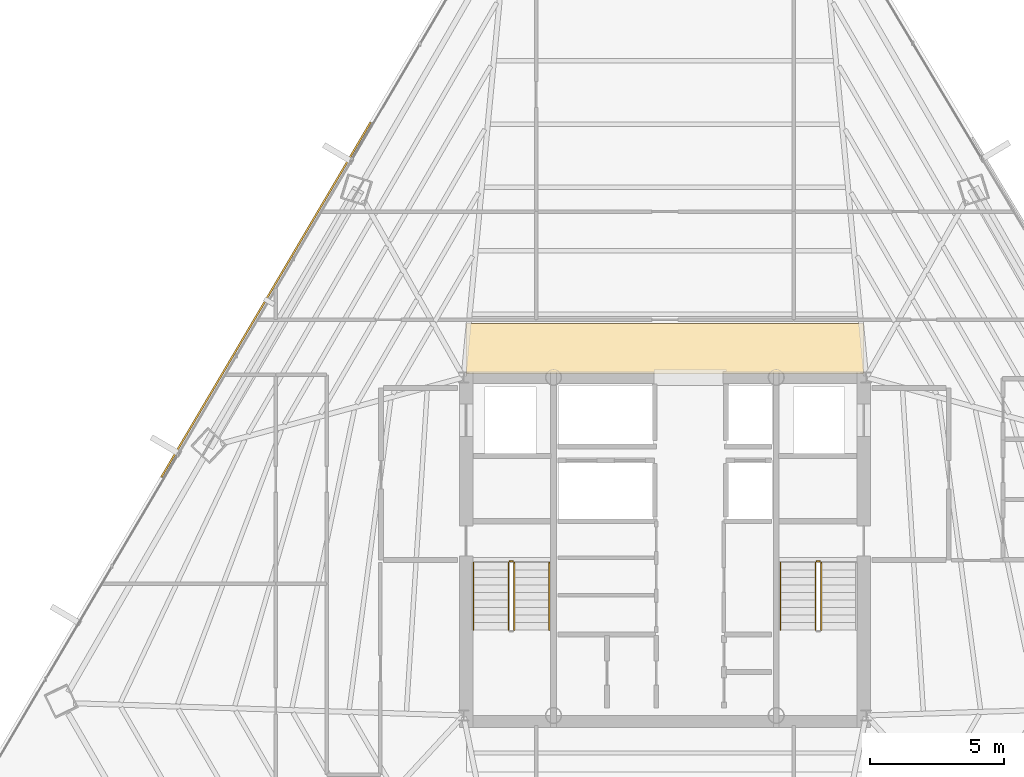
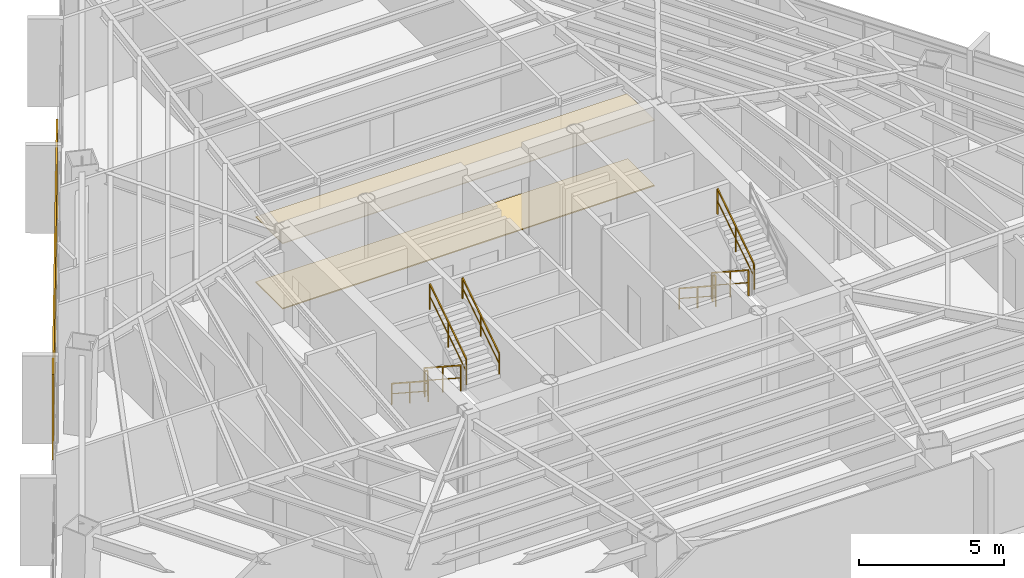
# One storey, part 40 of 41: 9 railings, 2 coverings, 1 shading device.
"""IFC4 building model written with IfcOpenShell, lengths in metres."""

import ifcopenshell
import ifcopenshell.guid

model = None  # the IFC model being written
_history = None  # IfcOwnerHistory: only IFC2X3 demands one
_inside = {}  # id of a spatial element -> (the spatial element, [elements in it])
_under = {}  # id of a project, library or spatial element -> (it, [spatial elements below it])
_declared = {}  # id of a project -> (the project, [libraries it declares])
_typed = {}  # id of a type object -> (the type object, [elements of that type])
_made_of = {}  # id of a material, layer set ... -> (it, [elements and type objects made of it])


def new_model(schema):
    """Start an empty IFC model of exactly this schema.

    Asked for "IFC4X3", IfcOpenShell would pick the latest addendum, in which some entities
    have other attributes; the version numbers below select the first issue.
    IFC2X3 requires an IfcOwnerHistory on every rooted entity: one is made here for all.
    """
    global model, _history
    if schema == "IFC4X3":
        model = ifcopenshell.file(schema_version=(4, 3, 0, 0))
    else:
        model = ifcopenshell.file(schema=schema)
    _inside.clear()
    _under.clear()
    _declared.clear()
    _typed.clear()
    _made_of.clear()
    _history = None
    if model.schema == "IFC2X3":
        org = make("IfcOrganization", Name="unknown")
        user = make(
            "IfcPersonAndOrganization",
            ThePerson=make("IfcPerson", FamilyName="unknown"),
            TheOrganization=org,
        )
        app = make(
            "IfcApplication",
            ApplicationDeveloper=org,
            Version="unknown",
            ApplicationFullName="unknown",
            ApplicationIdentifier="unknown",
        )
        _history = make(
            "IfcOwnerHistory",
            OwningUser=user,
            OwningApplication=app,
            ChangeAction="ADDED",
            CreationDate=0,
        )
    return model


def make(cls, **values):
    """One entity of the class cls with the attributes given. An attribute that is None is left unset."""
    return model.create_entity(
        cls, **{name: value for name, value in values.items() if value is not None}
    )


def rooted(cls, **values):
    """An entity with a GlobalId (a new one), such as an element, a storey or a relation."""
    return make(cls, GlobalId=ifcopenshell.guid.new(), OwnerHistory=_history, **values)


def si_unit(unit_type, name, prefix=None):
    """IfcSIUnit, for example si_unit("LENGTHUNIT", "METRE", prefix="MILLI")."""
    return make("IfcSIUnit", UnitType=unit_type, Prefix=prefix, Name=name)


def assignment(units):
    """IfcUnitAssignment: the units of a project."""
    return None if units is None else make("IfcUnitAssignment", Units=units)


def point(xyz):
    """IfcCartesianPoint."""
    return None if xyz is None else make("IfcCartesianPoint", Coordinates=xyz)


def direction(xyz):
    """IfcDirection."""
    return None if xyz is None else make("IfcDirection", DirectionRatios=xyz)


def frame(location, z_axis=None, x_axis=None):
    """IfcAxis2Placement3D, a coordinate frame: its origin and axes. An axis left out is left unset."""
    return make(
        "IfcAxis2Placement3D",
        Location=point(location),
        Axis=direction(z_axis),
        RefDirection=direction(x_axis),
    )


def frame_2d(location, x_axis=None):
    """IfcAxis2Placement2D, a coordinate frame in the plane: its origin and x axis."""
    return make(
        "IfcAxis2Placement2D", Location=point(location), RefDirection=direction(x_axis)
    )


def origin():
    """The frame at (0, 0, 0) with its axes left unset."""
    return frame((0.0, 0.0, 0.0))


def origin_2d():
    """The frame at (0, 0) in the plane with its x axis left unset."""
    return frame_2d((0.0, 0.0))


def place(relative_to, where):
    """IfcLocalPlacement: puts the frame where relative to a parent placement (None: the world)."""
    return make(
        "IfcLocalPlacement", PlacementRelTo=relative_to, RelativePlacement=where
    )


def context(
    kind, dimensions, precision=None, world=None, true_north=None, identifier=None
):
    """IfcGeometricRepresentationContext, for example the 3D "Model" context."""
    return make(
        "IfcGeometricRepresentationContext",
        ContextIdentifier=identifier,
        ContextType=kind,
        CoordinateSpaceDimension=dimensions,
        Precision=precision,
        WorldCoordinateSystem=world,
        TrueNorth=true_north,
    )


def subcontext(parent, identifier, kind, view, scale=None):
    """IfcGeometricRepresentationSubContext, for example "Body" below "Model"."""
    return make(
        "IfcGeometricRepresentationSubContext",
        ContextIdentifier=identifier,
        ContextType=kind,
        ParentContext=parent,
        TargetScale=scale,
        TargetView=view,
    )


def project(units=None, contexts=None):
    """IfcProject with its units and contexts."""
    return rooted(
        "IfcProject",
        Name="project",
        RepresentationContexts=contexts,
        UnitsInContext=assignment(units),
    )


def spatial(cls, under=None, at=None, **own):
    """A site, building, storey or space (cls), placed at a placement, below another one or the project."""
    s = rooted(cls, ObjectPlacement=at, **own)
    if under is not None:
        _under.setdefault(under.id(), (under, []))[1].append(s)
    return s


def polyline(points):
    """IfcPolyline through the points."""
    return make("IfcPolyline", Points=[point(p) for p in points])


def profile(cls, at=None, kind="AREA", **sizes):
    """A parametric profile (cls). Its sizes go by their IFC names, for example OverallWidth=200.0."""
    return make(cls, ProfileType=kind, Position=at, **sizes)


def rectangle(**sizes):
    """IfcRectangleProfileDef."""
    return profile("IfcRectangleProfileDef", **sizes)


def outline(outer, holes=None, kind="AREA"):
    """IfcArbitraryClosedProfileDef: a profile drawn as a closed curve; with holes, ...WithVoids."""
    if holes is None:
        return make("IfcArbitraryClosedProfileDef", ProfileType=kind, OuterCurve=outer)
    return make(
        "IfcArbitraryProfileDefWithVoids",
        ProfileType=kind,
        OuterCurve=outer,
        InnerCurves=holes,
    )


def extrude(swept, where, along, depth):
    """IfcExtrudedAreaSolid: the profile swept, set in the frame where, extruded along a direction by depth."""
    return make(
        "IfcExtrudedAreaSolid",
        SweptArea=swept,
        Position=where,
        ExtrudedDirection=direction(along),
        Depth=depth,
    )


def shape(context_of_items, identifier, shape_type, items):
    """IfcShapeRepresentation: the items that make up one representation, for example the "Body"."""
    return make(
        "IfcShapeRepresentation",
        ContextOfItems=context_of_items,
        RepresentationIdentifier=identifier,
        RepresentationType=shape_type,
        Items=items,
    )


def source(mapping_origin, context_of_items, identifier, shape_type, items):
    """IfcRepresentationMap: a shape defined once, which mapped items show again and again."""
    return make(
        "IfcRepresentationMap",
        MappingOrigin=mapping_origin,
        MappedRepresentation=shape(context_of_items, identifier, shape_type, items),
    )


def transform(
    local_origin,
    x_axis=None,
    y_axis=None,
    z_axis=None,
    scale=None,
    scale2=None,
    scale3=None,
    uniform=True,
):
    """IfcCartesianTransformationOperator3D, or its non-uniform kind. x_axis, y_axis, z_axis: its Axis1, 2, 3."""
    if uniform:
        return make(
            "IfcCartesianTransformationOperator3D",
            Axis1=direction(x_axis),
            Axis2=direction(y_axis),
            LocalOrigin=point(local_origin),
            Scale=scale,
            Axis3=direction(z_axis),
        )
    return make(
        "IfcCartesianTransformationOperator3DnonUniform",
        Axis1=direction(x_axis),
        Axis2=direction(y_axis),
        LocalOrigin=point(local_origin),
        Scale=scale,
        Axis3=direction(z_axis),
        Scale2=scale2,
        Scale3=scale3,
    )


def mapped(mapping_source, mapping_target):
    """IfcMappedItem: shows the shape of a source again, moved by a transform."""
    return make(
        "IfcMappedItem", MappingSource=mapping_source, MappingTarget=mapping_target
    )


def material(Name=None, Category=None):
    """IfcMaterial."""
    return make("IfcMaterial", Name=Name, Category=Category)


def layer(
    of_material, thickness, ventilated=None, Name=None, Category=None, Priority=None
):
    """IfcMaterialLayer: one layer of a wall or slab, of a material (None: an air gap)."""
    return make(
        "IfcMaterialLayer",
        Material=of_material,
        LayerThickness=thickness,
        IsVentilated=ventilated,
        Name=Name,
        Category=Category,
        Priority=Priority,
    )


def layer_set(layers, Name=None):
    """IfcMaterialLayerSet."""
    return make("IfcMaterialLayerSet", MaterialLayers=layers, LayerSetName=Name)


def made_of(thing, what):
    """Note that an element or type object is made of a material, layer set ...; save() writes the relation."""
    if what is not None:
        _made_of.setdefault(what.id(), (what, []))[1].append(thing)
    return thing


def type_object(cls, material=None, **own):
    """A type object (cls), such as IfcWallType, which elements share."""
    return made_of(rooted(cls, **own), material)


def type_shapes(of_type, sources):
    """Give a type object the sources (RepresentationMaps) that its elements show as mapped items."""
    of_type.RepresentationMaps = sources


def element(
    cls,
    number,
    at=None,
    inside=None,
    cuts=None,
    type_object=None,
    material=None,
    context=None,
    identifier="Body",
    shape_type=None,
    held_by="IfcProductDefinitionShape",
    body=None,
    shapes=None,
    **own,
):
    """One element of the class cls, such as IfcWall. Its Tag is "e" and its number.

    at: its placement. inside: the storey or other place that contains it. cuts: it is an
    opening in that element (IfcRelVoidsElement). A single representation is given by context,
    identifier, shape_type and body (its items); several are given by shapes. held_by: the class
    of the entity that holds the representations. save() writes the other relations.
    """
    e = rooted(cls, Tag="e%d" % number, ObjectPlacement=at, **own)
    if body is not None:
        shapes = [shape(context, identifier, shape_type, body)]
    if shapes is not None:
        e.Representation = make(held_by, Representations=shapes)
    if inside is not None:
        _inside.setdefault(inside.id(), (inside, []))[1].append(e)
    if cuts is not None:
        rooted(
            "IfcRelVoidsElement", RelatingBuildingElement=cuts, RelatedOpeningElement=e
        )
    if type_object is not None:
        _typed.setdefault(type_object.id(), (type_object, []))[1].append(e)
    return made_of(e, material)


def aggregate(whole, parts):
    """IfcRelAggregates: a whole, such as a stair, and the parts it consists of."""
    return rooted("IfcRelAggregates", RelatingObject=whole, RelatedObjects=parts)


def save(model, path):
    """Write the relations noted so far, then the file.

    IfcRelAggregates (storeys below a building ...), IfcRelContainedInSpatialStructure (elements
    in a storey), IfcRelDefinesByType, IfcRelAssociatesMaterial and IfcRelDeclares: one each for
    every whole, place, type object, material and project.
    """
    for whole, parts in _under.values():
        aggregate(whole, parts)
    for where, things in _inside.values():
        rooted(
            "IfcRelContainedInSpatialStructure",
            RelatedElements=things,
            RelatingStructure=where,
        )
    for kind, things in _typed.values():
        rooted("IfcRelDefinesByType", RelatedObjects=things, RelatingType=kind)
    for what, things in _made_of.values():
        rooted("IfcRelAssociatesMaterial", RelatedObjects=things, RelatingMaterial=what)
    for by, libraries in _declared.values():
        rooted("IfcRelDeclares", RelatingContext=by, RelatedDefinitions=libraries)
    model.write(path)


model = new_model("IFC4")

# Units and contexts
model_context = context("Model", 3, precision=1e-05, world=origin(), true_north=direction((0.0, 1.0)))
body_context = subcontext(model_context, "Body", "Model", "MODEL_VIEW")
ifc_project = project(units=[si_unit("LENGTHUNIT", "METRE"), si_unit("AREAUNIT", "SQUARE_METRE"), si_unit("VOLUMEUNIT", "CUBIC_METRE"), si_unit("PLANEANGLEUNIT", "RADIAN"), si_unit("MASSUNIT", "GRAM", prefix="KILO")], contexts=[model_context])

# Site, building, storey
site_placement = place(None, origin())
site = spatial("IfcSite", under=ifc_project, at=site_placement, CompositionType="ELEMENT")
building_placement = place(site_placement, origin())
building = spatial("IfcBuilding", under=site, at=building_placement, Name="Caelisora Broadcast Tower", CompositionType="ELEMENT")
storey_placement = place(building_placement, frame((0.0, 0.0, 165.800048828125)))
storey = spatial("IfcBuildingStorey", under=building, at=storey_placement, Name="L43", CompositionType="ELEMENT", Elevation=165.800048828125)

# Coverings
ifc_material_1 = material(Name="Perforated Mineral-Fibre Acoustic Ceiling Tile", Category="gypsum")
ifc_layer_1 = layer(ifc_material_1, 0.034912109375, Name="Perforated Mineral-Fibre Acoustic Ceiling Tile")
ifc_layer_set_1 = layer_set([ifc_layer_1], Name="Perforated Mineral-Fibre Acoustic Ceiling Tile")
covering_type_1 = type_object("IfcCoveringType", Name="CE-1", PredefinedType="CEILING", material=ifc_layer_set_1)
covering_1_placement = place(storey_placement, frame((0.0, 0.0, 2.75)))
element("IfcCovering", 1, at=covering_1_placement, inside=storey, type_object=covering_type_1, Name="L43 acoustic corridor ceiling CE-1 (N)", PredefinedType="CEILING", context=body_context, shape_type="SweptSolid", body=[
    extrude(outline(polyline([(30.60009765625, 30.14990234375), (45.39990234375, 30.14990234375), (45.39990234375, 32.0), (30.60009765625, 32.0), (30.60009765625, 30.14990234375)])), origin(), (0.0, 0.0, 1.0), 0.034912109375),
])
ifc_material_2 = material(Name="Anti-Static Broadcast Raised Access Floor Panel", Category="steel")
ifc_layer_2 = layer(ifc_material_2, 0.044921875, Name="Anti-Static Broadcast Raised Access Floor Panel")
ifc_layer_set_2 = layer_set([ifc_layer_2], Name="Anti-Static Broadcast Raised Access Floor Panel")
covering_type_2 = type_object("IfcCoveringType", Name="FL-1", PredefinedType="FLOORING", material=ifc_layer_set_2)
covering_2_placement = place(storey_placement, origin())
element("IfcCovering", 2, at=covering_2_placement, inside=storey, type_object=covering_type_2, Name="L43 broadcast raised access floor FL-1 (N)", PredefinedType="FLOORING", context=body_context, shape_type="SweptSolid", body=[
    extrude(outline(polyline([(30.60009765625, 30.14990234375), (45.39990234375, 30.14990234375), (45.39990234375, 32.0), (30.60009765625, 32.0), (30.60009765625, 30.14990234375)])), origin(), (0.0, 0.0, 1.0), 0.044921875),
])

# Railings
ifc_material_3 = material(Name="Galvanised Steel Safety Guardrail", Category="steel")
ifc_layer_3 = layer(ifc_material_3, 0.048095703125, Name="Galvanised Steel Safety Guardrail")
ifc_layer_set_3 = layer_set([ifc_layer_3], Name="Galvanised Steel Safety Guardrail")
railing_type_1 = type_object("IfcRailingType", Name="GR-1", PredefinedType="GUARDRAIL", material=ifc_layer_set_3)
railing_1_placement = place(storey_placement, frame((32.169921875, 23.10009765625, 0.182373046875)))
element("IfcRailing", 3, at=railing_1_placement, inside=storey, type_object=railing_type_1, Name="L43 ST-1 stair guard 1", PredefinedType="GUARDRAIL", context=body_context, shape_type="SweptSolid", body=[
    extrude(rectangle(XDim=0.048095703125, YDim=0.048095703125, at=origin_2d()), frame((0.0, 0.0, 1.076171875), z_axis=(0.0, -0.837749427056, 0.546054848405), x_axis=(1.0, 0.0, 0.0)), (0.0, 0.0, 1.0), 3.008056640625),
    extrude(rectangle(XDim=0.03125, YDim=0.03125, at=origin_2d()), frame((0.0, 0.0, 0.550048828125), z_axis=(0.0, -0.837749427056, 0.546054848405), x_axis=(1.0, 0.0, 0.0)), (0.0, 0.0, 1.0), 3.008056640625),
    extrude(rectangle(XDim=0.0419921875, YDim=0.0419921875, at=origin_2d()), origin(), (0.0, 0.0, 1.0), 1.052001953125),
    extrude(rectangle(XDim=0.0419921875, YDim=0.0419921875, at=origin_2d()), frame((0.0, -1.260009765625, 0.8212890625)), (0.0, 0.0, 1.0), 1.052001953125),
    extrude(rectangle(XDim=0.0419921875, YDim=0.0419921875, at=origin_2d()), frame((0.0, -2.52001953125, 1.642578125)), (0.0, 0.0, 1.0), 1.052001953125),
])
railing_2_placement = place(storey_placement, frame((32.389892578125, 20.580078125, 2.007568359375)))
element("IfcRailing", 4, at=railing_2_placement, inside=storey, type_object=railing_type_1, Name="L43 ST-1 stair guard 3", PredefinedType="GUARDRAIL", context=body_context, shape_type="SweptSolid", body=[
    extrude(rectangle(XDim=0.048095703125, YDim=0.048095703125, at=origin_2d()), frame((0.0, 0.0, 1.076171875), z_axis=(0.0, 0.837786554691, 0.545997883492), x_axis=(-1.0, 0.0, 0.0)), (0.0, 0.0, 1.0), 3.008056640625),
    extrude(rectangle(XDim=0.03125, YDim=0.03125, at=origin_2d()), frame((0.0, 0.0, 0.550048828125), z_axis=(0.0, 0.837786554691, 0.545997883492), x_axis=(-1.0, 0.0, 0.0)), (0.0, 0.0, 1.0), 3.008056640625),
    extrude(rectangle(XDim=0.0419921875, YDim=0.0419921875, at=origin_2d()), origin(), (0.0, 0.0, 1.0), 1.052001953125),
    extrude(rectangle(XDim=0.0419921875, YDim=0.0419921875, at=origin_2d()), frame((0.0, 1.260009765625, 0.8212890625)), (0.0, 0.0, 1.0), 1.052001953125),
    extrude(rectangle(XDim=0.0419921875, YDim=0.0419921875, at=origin_2d()), frame((0.0, 2.52001953125, 1.642333984375)), (0.0, 0.0, 1.0), 1.052001953125),
])
railing_3_placement = place(storey_placement, frame((32.219970703125, 23.14990234375, 0.0)))
element("IfcRailing", 5, at=railing_3_placement, inside=storey, type_object=railing_type_1, Name="L43 ST-1 stair guard 4", PredefinedType="GUARDRAIL", context=body_context, shape_type="SweptSolid", body=[
    extrude(rectangle(XDim=0.048095703125, YDim=0.048095703125, at=origin_2d()), frame((0.0, 0.0, 1.076171875), z_axis=(1.0, 0.0, 0.0), x_axis=(0.0, 1.0, 0.0)), (0.0, 0.0, 1.0), 0.1201171875),
    extrude(rectangle(XDim=0.03125, YDim=0.03125, at=origin_2d()), frame((0.0, 0.0, 0.550048828125), z_axis=(1.0, 0.0, 0.0), x_axis=(0.0, 1.0, 0.0)), (0.0, 0.0, 1.0), 0.1201171875),
    extrude(rectangle(XDim=0.0419921875, YDim=0.0419921875, at=origin_2d()), origin(), (0.0, 0.0, 1.0), 1.052001953125),
    extrude(rectangle(XDim=0.0419921875, YDim=0.0419921875, at=origin_2d()), frame((0.1201171875, 0.0, 0.0)), (0.0, 0.0, 1.0), 1.052001953125),
])
railing_4_placement = place(storey_placement, frame((43.610107421875, 23.10009765625, 0.182373046875)))
element("IfcRailing", 6, at=railing_4_placement, inside=storey, type_object=railing_type_1, Name="L43 ST-2 stair guard 1", PredefinedType="GUARDRAIL", context=body_context, shape_type="SweptSolid", body=[
    extrude(rectangle(XDim=0.048095703125, YDim=0.048095703125, at=origin_2d()), frame((0.0, 0.0, 1.076171875), z_axis=(0.0, -0.837749427056, 0.546054848405), x_axis=(1.0, 0.0, 0.0)), (0.0, 0.0, 1.0), 3.008056640625),
    extrude(rectangle(XDim=0.03125, YDim=0.03125, at=origin_2d()), frame((0.0, 0.0, 0.550048828125), z_axis=(0.0, -0.837749427056, 0.546054848405), x_axis=(1.0, 0.0, 0.0)), (0.0, 0.0, 1.0), 3.008056640625),
    extrude(rectangle(XDim=0.0419921875, YDim=0.0419921875, at=origin_2d()), origin(), (0.0, 0.0, 1.0), 1.052001953125),
    extrude(rectangle(XDim=0.0419921875, YDim=0.0419921875, at=origin_2d()), frame((0.0, -1.260009765625, 0.8212890625)), (0.0, 0.0, 1.0), 1.052001953125),
    extrude(rectangle(XDim=0.0419921875, YDim=0.0419921875, at=origin_2d()), frame((0.0, -2.52001953125, 1.642578125)), (0.0, 0.0, 1.0), 1.052001953125),
])
railing_5_placement = place(storey_placement, frame((43.830078125, 20.580078125, 2.007568359375)))
element("IfcRailing", 7, at=railing_5_placement, inside=storey, type_object=railing_type_1, Name="L43 ST-2 stair guard 3", PredefinedType="GUARDRAIL", context=body_context, shape_type="SweptSolid", body=[
    extrude(rectangle(XDim=0.048095703125, YDim=0.048095703125, at=origin_2d()), frame((0.0, 0.0, 1.076171875), z_axis=(0.0, 0.837786554691, 0.545997883492), x_axis=(-1.0, 0.0, 0.0)), (0.0, 0.0, 1.0), 3.008056640625),
    extrude(rectangle(XDim=0.03125, YDim=0.03125, at=origin_2d()), frame((0.0, 0.0, 0.550048828125), z_axis=(0.0, 0.837786554691, 0.545997883492), x_axis=(-1.0, 0.0, 0.0)), (0.0, 0.0, 1.0), 3.008056640625),
    extrude(rectangle(XDim=0.0419921875, YDim=0.0419921875, at=origin_2d()), origin(), (0.0, 0.0, 1.0), 1.052001953125),
    extrude(rectangle(XDim=0.0419921875, YDim=0.0419921875, at=origin_2d()), frame((0.0, 1.260009765625, 0.8212890625)), (0.0, 0.0, 1.0), 1.052001953125),
    extrude(rectangle(XDim=0.0419921875, YDim=0.0419921875, at=origin_2d()), frame((0.0, 2.52001953125, 1.642333984375)), (0.0, 0.0, 1.0), 1.052001953125),
])
railing_6_placement = place(storey_placement, frame((43.659912109375, 23.14990234375, 0.0)))
element("IfcRailing", 8, at=railing_6_placement, inside=storey, type_object=railing_type_1, Name="L43 ST-2 stair guard 4", PredefinedType="GUARDRAIL", context=body_context, shape_type="SweptSolid", body=[
    extrude(rectangle(XDim=0.048095703125, YDim=0.048095703125, at=origin_2d()), frame((0.0, 0.0, 1.076171875), z_axis=(1.0, 0.0, 0.0), x_axis=(0.0, 1.0, 0.0)), (0.0, 0.0, 1.0), 0.1201171875),
    extrude(rectangle(XDim=0.03125, YDim=0.03125, at=origin_2d()), frame((0.0, 0.0, 0.550048828125), z_axis=(1.0, 0.0, 0.0), x_axis=(0.0, 1.0, 0.0)), (0.0, 0.0, 1.0), 0.1201171875),
    extrude(rectangle(XDim=0.0419921875, YDim=0.0419921875, at=origin_2d()), origin(), (0.0, 0.0, 1.0), 1.052001953125),
    extrude(rectangle(XDim=0.0419921875, YDim=0.0419921875, at=origin_2d()), frame((0.1201171875, 0.0, 0.0)), (0.0, 0.0, 1.0), 1.052001953125),
])
ifc_material_4 = material(Name="Stainless Steel Grade 316 Tubular Handrail", Category="steel")
ifc_layer_4 = layer(ifc_material_4, 0.048095703125, Name="Stainless Steel Grade 316 Tubular Handrail")
ifc_layer_set_4 = layer_set([ifc_layer_4], Name="Stainless Steel Grade 316 Tubular Handrail")
railing_type_2 = type_object("IfcRailingType", Name="HR-1", PredefinedType="HANDRAIL", material=ifc_layer_set_4)
railing_7_placement = place(storey_placement, frame((30.8701171875, 23.10009765625, 0.182373046875)))
element("IfcRailing", 9, at=railing_7_placement, inside=storey, type_object=railing_type_2, Name="L43 ST-1 stair handrail 1", PredefinedType="HANDRAIL", context=body_context, shape_type="SweptSolid", body=[
    extrude(rectangle(XDim=0.048095703125, YDim=0.048095703125, at=origin_2d()), frame((0.0, 0.0, 0.8759765625), z_axis=(0.0, -0.837749427056, 0.546054848405), x_axis=(1.0, 0.0, 0.0)), (0.0, 0.0, 1.0), 3.008056640625),
    extrude(rectangle(XDim=0.03125, YDim=0.03125, at=origin_2d()), frame((0.0, 0.0, 0.449951171875), z_axis=(0.0, -0.837749427056, 0.546054848405), x_axis=(1.0, 0.0, 0.0)), (0.0, 0.0, 1.0), 3.008056640625),
    extrude(rectangle(XDim=0.0419921875, YDim=0.0419921875, at=origin_2d()), origin(), (0.0, 0.0, 1.0), 0.851806640625),
    extrude(rectangle(XDim=0.0419921875, YDim=0.0419921875, at=origin_2d()), frame((0.0, -1.260009765625, 0.8212890625)), (0.0, 0.0, 1.0), 0.851806640625),
    extrude(rectangle(XDim=0.0419921875, YDim=0.0419921875, at=origin_2d()), frame((0.0, -2.52001953125, 1.642578125)), (0.0, 0.0, 1.0), 0.851806640625),
])
railing_8_placement = place(storey_placement, frame((33.68994140625, 20.580078125, 2.007568359375)))
element("IfcRailing", 10, at=railing_8_placement, inside=storey, type_object=railing_type_2, Name="L43 ST-1 stair handrail 2", PredefinedType="HANDRAIL", context=body_context, shape_type="SweptSolid", body=[
    extrude(rectangle(XDim=0.048095703125, YDim=0.048095703125, at=origin_2d()), frame((0.0, 0.0, 0.8759765625), z_axis=(0.0, 0.837786554691, 0.545997883492), x_axis=(-1.0, 0.0, 0.0)), (0.0, 0.0, 1.0), 3.008056640625),
    extrude(rectangle(XDim=0.03125, YDim=0.03125, at=origin_2d()), frame((0.0, 0.0, 0.449951171875), z_axis=(0.0, 0.837786554691, 0.545997883492), x_axis=(-1.0, 0.0, 0.0)), (0.0, 0.0, 1.0), 3.008056640625),
    extrude(rectangle(XDim=0.0419921875, YDim=0.0419921875, at=origin_2d()), origin(), (0.0, 0.0, 1.0), 0.851806640625),
    extrude(rectangle(XDim=0.0419921875, YDim=0.0419921875, at=origin_2d()), frame((0.0, 1.260009765625, 0.8212890625)), (0.0, 0.0, 1.0), 0.851806640625),
    extrude(rectangle(XDim=0.0419921875, YDim=0.0419921875, at=origin_2d()), frame((0.0, 2.52001953125, 1.642333984375)), (0.0, 0.0, 1.0), 0.851806640625),
])
railing_9_placement = place(storey_placement, frame((42.31005859375, 23.10009765625, 0.182373046875)))
element("IfcRailing", 11, at=railing_9_placement, inside=storey, type_object=railing_type_2, Name="L43 ST-2 stair handrail 1", PredefinedType="HANDRAIL", context=body_context, shape_type="SweptSolid", body=[
    extrude(rectangle(XDim=0.048095703125, YDim=0.048095703125, at=origin_2d()), frame((0.0, 0.0, 0.8759765625), z_axis=(0.0, -0.837749427056, 0.546054848405), x_axis=(1.0, 0.0, 0.0)), (0.0, 0.0, 1.0), 3.008056640625),
    extrude(rectangle(XDim=0.03125, YDim=0.03125, at=origin_2d()), frame((0.0, 0.0, 0.449951171875), z_axis=(0.0, -0.837749427056, 0.546054848405), x_axis=(1.0, 0.0, 0.0)), (0.0, 0.0, 1.0), 3.008056640625),
    extrude(rectangle(XDim=0.0419921875, YDim=0.0419921875, at=origin_2d()), origin(), (0.0, 0.0, 1.0), 0.851806640625),
    extrude(rectangle(XDim=0.0419921875, YDim=0.0419921875, at=origin_2d()), frame((0.0, -1.260009765625, 0.8212890625)), (0.0, 0.0, 1.0), 0.851806640625),
    extrude(rectangle(XDim=0.0419921875, YDim=0.0419921875, at=origin_2d()), frame((0.0, -2.52001953125, 1.642578125)), (0.0, 0.0, 1.0), 0.851806640625),
])

# Shading device
ifc_material_5 = material(Name="Perforated Glazed Terracotta Baguette Solar Screen", Category="ceramic")
ifc_layer_5 = layer(ifc_material_5, 0.06494140625, Name="Perforated Glazed Terracotta Baguette Solar Screen")
ifc_layer_set_5 = layer_set([ifc_layer_5], Name="Perforated Glazed Terracotta Baguette Solar Screen")
shading_device_type = type_object("IfcShadingDeviceType", Name="SS-1", PredefinedType="USERDEFINED", material=ifc_layer_set_5)
shared_shape = source(origin(), body_context, "Body", "SweptSolid", [
    extrude(rectangle(XDim=15.35791015625, YDim=0.06494140625, at=origin_2d()), origin(), (0.0, 0.0, 1.0), 3.590087890625),
])
type_shapes(shading_device_type, [shared_shape])
shading_device_placement = place(storey_placement, frame((23.134033203125, 32.895751953125, 0.0), z_axis=(0.0, 0.0, 1.0), x_axis=(-0.507989441341, -0.861363295878, 0.0)))
element("IfcShadingDevice", 12, at=shading_device_placement, inside=storey, type_object=shading_device_type, Name="L43 perforated terracotta solar screen #1", ObjectType="SOLAR SCREEN", PredefinedType="USERDEFINED", context=body_context, shape_type="MappedRepresentation", body=[
    mapped(shared_shape, transform((0.0, 0.0, 0.0), scale=1.0)),
])

save(model, "model.ifc")
